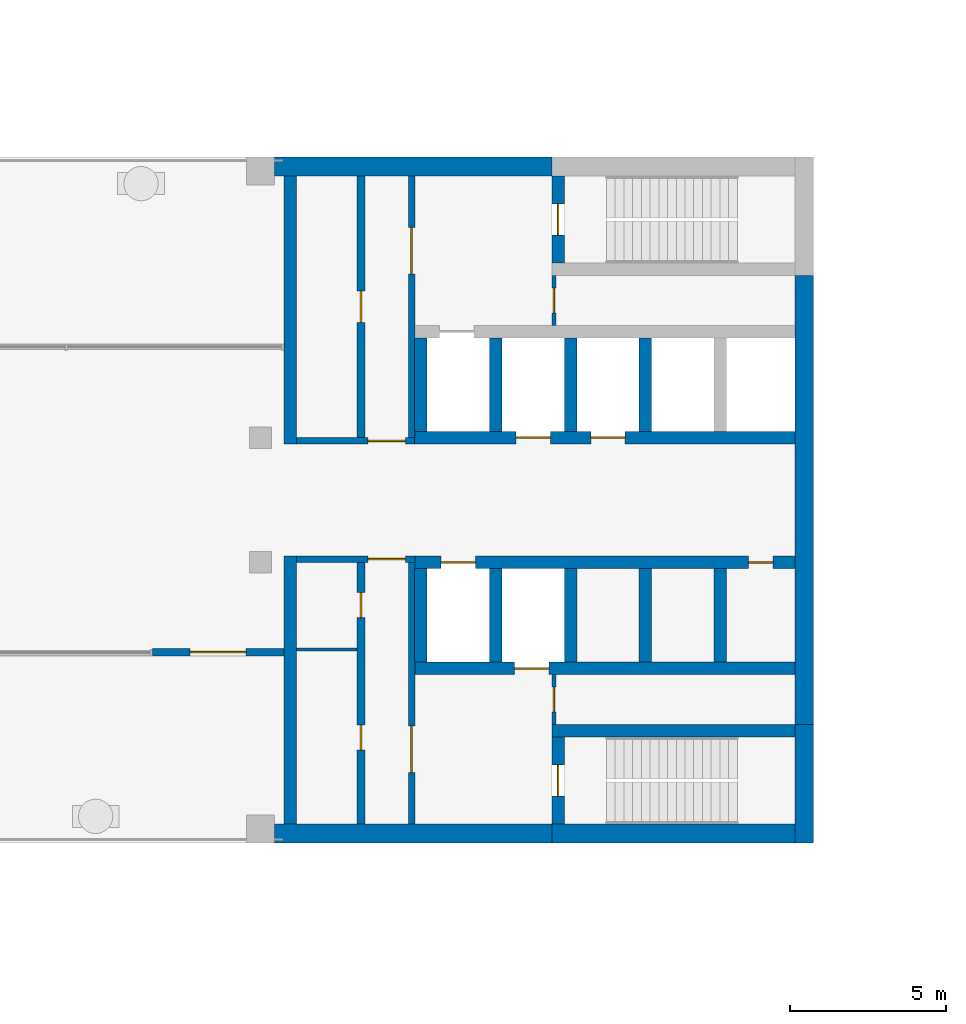
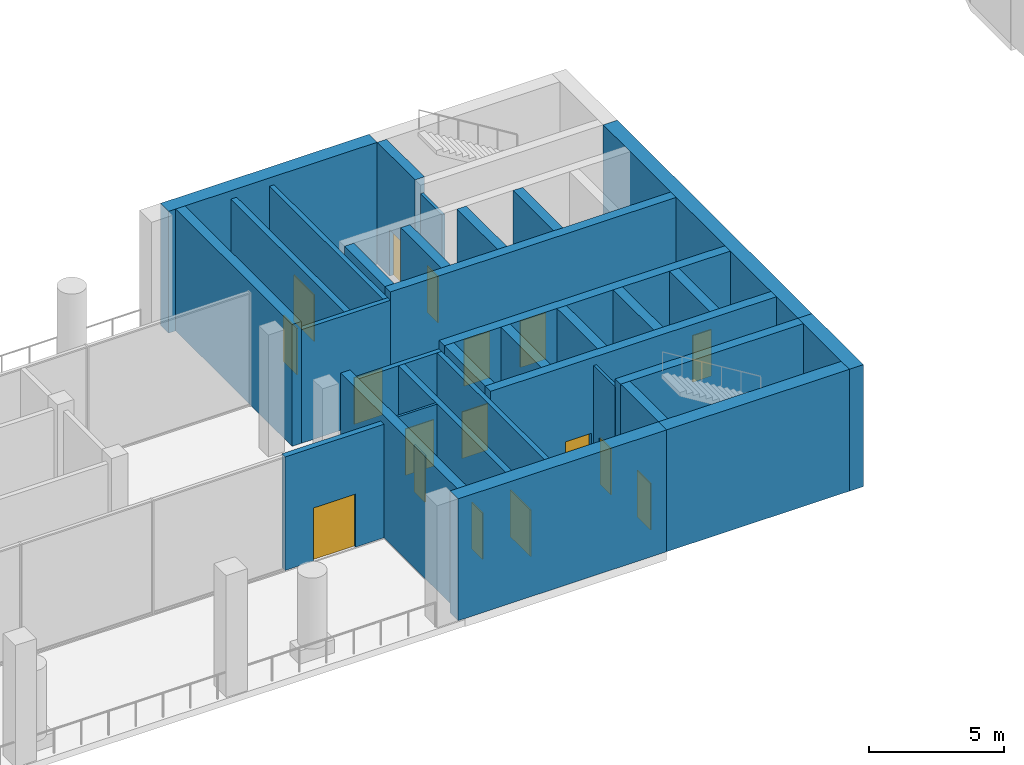
# One storey, part 11 of 19: 32 walls, 17 doors, 17 openings.
"""IFC4 building model written with IfcOpenShell, lengths in metres."""

from ifc_helpers import new_model, si_unit, direction, frame, frame_2d, origin, place, context, subcontext, project, spatial, rectangle, extrude, material, layer, layer_set, type_object, element, fill, save


model = new_model("IFC4")

# Units and contexts
model_context = context("Model", 3, precision=1e-05, world=origin(), true_north=direction((0.0, 1.0)))
body_context = subcontext(model_context, "Body", "Model", "MODEL_VIEW")
ifc_project = project(units=[si_unit("LENGTHUNIT", "METRE"), si_unit("AREAUNIT", "SQUARE_METRE"), si_unit("VOLUMEUNIT", "CUBIC_METRE"), si_unit("PLANEANGLEUNIT", "RADIAN"), si_unit("MASSUNIT", "GRAM", prefix="KILO")], contexts=[model_context])

# Site, building, storey
site_placement = place(None, origin())
site = spatial("IfcSite", under=ifc_project, at=site_placement, CompositionType="ELEMENT")
building_placement = place(site_placement, origin())
building = spatial("IfcBuilding", under=site, at=building_placement, Name="Skarvind Civic Tower", CompositionType="ELEMENT")
storey_placement = place(building_placement, frame((0.0, 0.0, 75.5)))
storey = spatial("IfcBuildingStorey", under=building, at=storey_placement, Name="L17", CompositionType="ELEMENT", Elevation=75.5)

# Wall, opening, door
ifc_material_1 = material(Name="Fire-rated masonry partition", Category="masonry")
ifc_layer_1 = layer(ifc_material_1, 0.199951171875)
ifc_layer_set_1 = layer_set([ifc_layer_1], Name="Core enclosure wall 200")
wall_type_1 = type_object("IfcWallType", Name="Core enclosure wall 200", PredefinedType="PARTITIONING", material=ifc_layer_set_1)
wall_1_placement = place(storey_placement, frame((95.199951171875, 126.10009765625, 0.0), z_axis=(0.0, 0.0, 1.0), x_axis=(-1.0, 0.0, 0.0)))
wall_1 = element("IfcWall", 1, at=wall_1_placement, inside=storey, type_object=wall_type_1, Name="Core wall C1", PredefinedType="PARTITIONING", context=body_context, shape_type="SweptSolid", body=[
    extrude(rectangle(XDim=3.800048828125, YDim=0.199951171875, at=frame_2d((1.89990234375, 0.0))), origin(), (0.0, 0.0, 1.0), 5.125),
])
opening_1_placement = place(wall_1_placement, frame((0.300048828125, 0.0, 0.0)))
opening_1 = element("IfcOpeningElement", 2, at=opening_1_placement, cuts=wall_1, Name="Opening D-L17-C1-05", PredefinedType="OPENING", context=body_context, shape_type="SweptSolid", body=[
    extrude(rectangle(XDim=1.199951171875, YDim=2.10009765625, at=frame_2d((0.60009765625, 1.050048828125))), frame((0.0, 0.10986328125, 0.0), z_axis=(0.0, -1.0, 0.0), x_axis=(1.0, 0.0, 0.0)), (0.0, 0.0, 1.0), 0.219970703125),
])
ifc_material_2 = material(Name="Fire-rated steel door", Category="steel")
door_type_1 = type_object("IfcDoorType", Name="Core lobby door 1200", OperationType="NOTDEFINED", PredefinedType="DOOR", material=ifc_material_2)
door_1_placement = place(opening_1_placement, origin())
door_1 = element("IfcDoor", 3, at=door_1_placement, inside=storey, type_object=door_type_1, Name="Fire door", OperationType="DOUBLE_DOOR_SINGLE_SWING", OverallHeight=2.10009765625, OverallWidth=1.199951171875, PredefinedType="DOOR", context=body_context, shape_type="SweptSolid", body=[
    extrude(rectangle(XDim=1.199951171875, YDim=2.10009765625, at=frame_2d((0.60009765625, 1.050048828125))), frame((0.0, 0.02490234375, 0.0), z_axis=(0.0, -1.0, 0.0), x_axis=(1.0, 0.0, 0.0)), (0.0, 0.0, 1.0), 0.050048828125),
])
fill(opening_1, door_1)

wall_2_placement = place(storey_placement, frame((95.10009765625, 117.60009765625, 0.0), z_axis=(0.0, 0.0, 1.0), x_axis=(0.0, 1.0, 0.0)))
wall_2 = element("IfcWall", 4, at=wall_2_placement, inside=storey, type_object=wall_type_1, Name="Core wall C1", PredefinedType="PARTITIONING", context=body_context, shape_type="SweptSolid", body=[
    extrude(rectangle(XDim=8.39990234375, YDim=0.199951171875, at=frame_2d((4.199951171875, 0.0))), origin(), (0.0, 0.0, 1.0), 5.125),
])
opening_2_placement = place(wall_2_placement, frame((1.64990234375, 0.0, 0.0)))
opening_2 = element("IfcOpeningElement", 5, at=opening_2_placement, cuts=wall_2, Name="Opening D-L17-C1-06", PredefinedType="OPENING", context=body_context, shape_type="SweptSolid", body=[
    extrude(rectangle(XDim=1.5, YDim=2.10009765625, at=frame_2d((0.75, 1.050048828125))), frame((0.0, 0.10986328125, 0.0), z_axis=(0.0, -1.0, 0.0), x_axis=(1.0, 0.0, 0.0)), (0.0, 0.0, 1.0), 0.219970703125),
])
door_type_2 = type_object("IfcDoorType", Name="Fire door 1500", OperationType="NOTDEFINED", PredefinedType="DOOR", material=ifc_material_2)
door_2_placement = place(opening_2_placement, origin())
door_2 = element("IfcDoor", 6, at=door_2_placement, inside=storey, type_object=door_type_2, Name="Fire door", OperationType="DOUBLE_DOOR_SINGLE_SWING", OverallHeight=2.10009765625, OverallWidth=1.5, PredefinedType="DOOR", context=body_context, shape_type="SweptSolid", body=[
    extrude(rectangle(XDim=1.5, YDim=2.10009765625, at=frame_2d((0.75, 1.050048828125))), frame((0.0, 0.02490234375, 0.0), z_axis=(0.0, -1.0, 0.0), x_axis=(1.0, 0.0, 0.0)), (0.0, 0.0, 1.0), 0.050048828125),
])
fill(opening_2, door_2)

wall_3_placement = place(storey_placement, frame((91.39990234375, 129.89990234375, 0.0), z_axis=(0.0, 0.0, 1.0), x_axis=(1.0, 0.0, 0.0)))
wall_3 = element("IfcWall", 7, at=wall_3_placement, inside=storey, type_object=wall_type_1, Name="Core wall C1", PredefinedType="PARTITIONING", context=body_context, shape_type="SweptSolid", body=[
    extrude(rectangle(XDim=3.800048828125, YDim=0.199951171875, at=frame_2d((1.89990234375, 0.0))), origin(), (0.0, 0.0, 1.0), 5.125),
])
opening_3_placement = place(wall_3_placement, frame((2.300048828125, 0.0, 0.0)))
opening_3 = element("IfcOpeningElement", 8, at=opening_3_placement, cuts=wall_3, Name="Opening D-L17-C1-11", PredefinedType="OPENING", context=body_context, shape_type="SweptSolid", body=[
    extrude(rectangle(XDim=1.199951171875, YDim=2.10009765625, at=frame_2d((0.60009765625, 1.050048828125))), frame((0.0, 0.10986328125, 0.0), z_axis=(0.0, -1.0, 0.0), x_axis=(1.0, 0.0, 0.0)), (0.0, 0.0, 1.0), 0.219970703125),
])
door_3_placement = place(opening_3_placement, origin())
door_3 = element("IfcDoor", 9, at=door_3_placement, inside=storey, type_object=door_type_1, Name="Fire door", OperationType="DOUBLE_DOOR_SINGLE_SWING", OverallHeight=2.10009765625, OverallWidth=1.199951171875, PredefinedType="DOOR", context=body_context, shape_type="SweptSolid", body=[
    extrude(rectangle(XDim=1.199951171875, YDim=2.10009765625, at=frame_2d((0.60009765625, 1.050048828125))), frame((0.0, 0.02490234375, 0.0), z_axis=(0.0, -1.0, 0.0), x_axis=(1.0, 0.0, 0.0)), (0.0, 0.0, 1.0), 0.050048828125),
])
fill(opening_3, door_3)

wall_4_placement = place(storey_placement, frame((95.10009765625, 130.0, 0.0), z_axis=(0.0, 0.0, 1.0), x_axis=(0.0, 1.0, 0.0)))
wall_4 = element("IfcWall", 10, at=wall_4_placement, inside=storey, type_object=wall_type_1, Name="Core wall C1", PredefinedType="PARTITIONING", context=body_context, shape_type="SweptSolid", body=[
    extrude(rectangle(XDim=8.39990234375, YDim=0.199951171875, at=frame_2d((4.199951171875, 0.0))), origin(), (0.0, 0.0, 1.0), 5.125),
])
opening_4_placement = place(wall_4_placement, frame((5.25, 0.0, 0.0)))
opening_4 = element("IfcOpeningElement", 11, at=opening_4_placement, cuts=wall_4, Name="Opening D-L17-C1-12", PredefinedType="OPENING", context=body_context, shape_type="SweptSolid", body=[
    extrude(rectangle(XDim=1.5, YDim=2.10009765625, at=frame_2d((0.75, 1.050048828125))), frame((0.0, 0.10986328125, 0.0), z_axis=(0.0, -1.0, 0.0), x_axis=(1.0, 0.0, 0.0)), (0.0, 0.0, 1.0), 0.219970703125),
])
door_4_placement = place(opening_4_placement, origin())
door_4 = element("IfcDoor", 12, at=door_4_placement, inside=storey, type_object=door_type_2, Name="Fire door", OperationType="DOUBLE_DOOR_SINGLE_SWING", OverallHeight=2.10009765625, OverallWidth=1.5, PredefinedType="DOOR", context=body_context, shape_type="SweptSolid", body=[
    extrude(rectangle(XDim=1.5, YDim=2.10009765625, at=frame_2d((0.75, 1.050048828125))), frame((0.0, 0.02490234375, 0.0), z_axis=(0.0, -1.0, 0.0), x_axis=(1.0, 0.0, 0.0)), (0.0, 0.0, 1.0), 0.050048828125),
])
fill(opening_4, door_4)

# Wall
ifc_material_3 = material(Name="Fire-rated plasterboard partition")
ifc_layer_2 = layer(ifc_material_3, 0.10009765625)
ifc_layer_set_2 = layer_set([ifc_layer_2], Name="Core partition wall 100")
wall_type_2 = type_object("IfcWallType", Name="Core partition wall 100", PredefinedType="PARTITIONING", material=ifc_layer_set_2)
wall_5_placement = place(storey_placement, frame((93.35009765625, 123.199951171875, 0.0), z_axis=(0.0, 0.0, 1.0), x_axis=(-1.0, 0.0, 0.0)))
element("IfcWall", 13, at=wall_5_placement, inside=storey, type_object=wall_type_2, Name="Core wall C1", PredefinedType="PARTITIONING", context=body_context, shape_type="SweptSolid", body=[
    extrude(rectangle(XDim=1.9501953125, YDim=0.10009765625, at=frame_2d((0.97509765625, 0.0))), origin(), (0.0, 0.0, 1.0), 5.125),
])

# Wall, opening, door
ifc_material_4 = material(Name="Concrete C80", Category="concrete")
ifc_layer_3 = layer(ifc_material_4, 0.39990234375)
ifc_layer_set_3 = layer_set([ifc_layer_3], Name="Core wall 400 C80")
wall_type_3 = type_object("IfcWallType", Name="Core wall 400 C80", PredefinedType="SHEAR", material=ifc_layer_set_3)
wall_6_placement = place(storey_placement, frame((99.800048828125, 138.39990234375, 0.0), z_axis=(0.0, 0.0, 1.0), x_axis=(0.0, -1.0, 0.0)))
wall_6 = element("IfcWall", 14, at=wall_6_placement, inside=storey, type_object=wall_type_3, Name="Core wall C1 south stair end L17", PredefinedType="SHEAR", context=body_context, shape_type="SweptSolid", body=[
    extrude(rectangle(XDim=2.7998046875, YDim=0.39990234375, at=frame_2d((1.39990234375, 0.0))), origin(), (0.0, 0.0, 1.0), 5.5),
])
opening_5_placement = place(wall_6_placement, frame((0.89990234375, 0.0, 0.0)))
opening_5 = element("IfcOpeningElement", 15, at=opening_5_placement, cuts=wall_6, Name="Opening D-L17-C1-13", PredefinedType="OPENING", context=body_context, shape_type="SweptSolid", body=[
    extrude(rectangle(XDim=1.0, YDim=2.10009765625, at=frame_2d((0.5, 1.050048828125))), frame((0.0, 0.2099609375, 0.0), z_axis=(0.0, -1.0, 0.0), x_axis=(1.0, 0.0, 0.0)), (0.0, 0.0, 1.0), 0.419921875),
])
door_type_3 = type_object("IfcDoorType", Name="Fire door 1000", OperationType="NOTDEFINED", PredefinedType="DOOR", material=ifc_material_2)
door_5_placement = place(opening_5_placement, origin())
door_5 = element("IfcDoor", 16, at=door_5_placement, inside=storey, type_object=door_type_3, Name="Fire door", OperationType="SINGLE_SWING_RIGHT", OverallHeight=2.10009765625, OverallWidth=1.0, PredefinedType="DOOR", context=body_context, shape_type="SweptSolid", body=[
    extrude(rectangle(XDim=1.0, YDim=2.10009765625, at=frame_2d((0.5, 1.050048828125))), frame((0.0, 0.02490234375, 0.0), z_axis=(0.0, -1.0, 0.0), x_axis=(1.0, 0.0, 0.0)), (0.0, 0.0, 1.0), 0.050048828125),
])
fill(opening_5, door_5)

# Wall
wall_7_placement = place(storey_placement, frame((107.39990234375, 120.60009765625, 0.0), z_axis=(0.0, 0.0, 1.0), x_axis=(-1.0, 0.0, 0.0)))
element("IfcWall", 17, at=wall_7_placement, inside=storey, type_object=wall_type_3, Name="Core wall C1 north stair inner L17", PredefinedType="SHEAR", context=body_context, shape_type="SweptSolid", body=[
    extrude(rectangle(XDim=7.7998046875, YDim=0.39990234375, at=frame_2d((3.89990234375, 0.0))), origin(), (0.0, 0.0, 1.0), 5.5),
])

# Wall, opening, door
wall_8_placement = place(storey_placement, frame((99.800048828125, 120.39990234375, 0.0), z_axis=(0.0, 0.0, 1.0), x_axis=(0.0, -1.0, 0.0)))
wall_8 = element("IfcWall", 18, at=wall_8_placement, inside=storey, type_object=wall_type_3, Name="Core wall C1 north stair end L17", PredefinedType="SHEAR", context=body_context, shape_type="SweptSolid", body=[
    extrude(rectangle(XDim=2.7998046875, YDim=0.39990234375, at=frame_2d((1.39990234375, 0.0))), origin(), (0.0, 0.0, 1.0), 5.5),
])
opening_6_placement = place(wall_8_placement, frame((0.89990234375, 0.0, 0.0)))
opening_6 = element("IfcOpeningElement", 19, at=opening_6_placement, cuts=wall_8, Name="Opening D-L17-C1-07", PredefinedType="OPENING", context=body_context, shape_type="SweptSolid", body=[
    extrude(rectangle(XDim=1.0, YDim=2.10009765625, at=frame_2d((0.5, 1.050048828125))), frame((0.0, 0.2099609375, 0.0), z_axis=(0.0, -1.0, 0.0), x_axis=(1.0, 0.0, 0.0)), (0.0, 0.0, 1.0), 0.419921875),
])
door_6_placement = place(opening_6_placement, origin())
door_6 = element("IfcDoor", 20, at=door_6_placement, inside=storey, type_object=door_type_3, Name="Fire door", OperationType="SINGLE_SWING_LEFT", OverallHeight=2.10009765625, OverallWidth=1.0, PredefinedType="DOOR", context=body_context, shape_type="SweptSolid", body=[
    extrude(rectangle(XDim=1.0, YDim=2.10009765625, at=frame_2d((0.5, 1.050048828125))), frame((0.0, 0.02490234375, 0.0), z_axis=(0.0, -1.0, 0.0), x_axis=(1.0, 0.0, 0.0)), (0.0, 0.0, 1.0), 0.050048828125),
])
fill(opening_6, door_6)

# Wall, openings, doors
wall_9_placement = place(storey_placement, frame((107.39990234375, 130.0, 0.0), z_axis=(0.0, 0.0, 1.0), x_axis=(-1.0, 0.0, 0.0)))
wall_9 = element("IfcWall", 21, at=wall_9_placement, inside=storey, type_object=wall_type_3, Name="Core wall C1 south lift row front L17", PredefinedType="SHEAR", context=body_context, shape_type="SweptSolid", body=[
    extrude(rectangle(XDim=12.199951171875, YDim=0.39990234375, at=frame_2d((6.10009765625, 0.0))), origin(), (0.0, 0.0, 1.0), 5.5),
])
opening_7_placement = place(wall_9_placement, frame((5.449951171875, 0.0, 0.0)))
opening_7 = element("IfcOpeningElement", 22, at=opening_7_placement, cuts=wall_9, Name="Opening LD19108", PredefinedType="OPENING", context=body_context, shape_type="SweptSolid", body=[
    extrude(rectangle(XDim=1.10009765625, YDim=2.10009765625, at=frame_2d((0.550048828125, 1.050048828125))), frame((0.0, 0.2099609375, 0.0), z_axis=(0.0, -1.0, 0.0), x_axis=(1.0, 0.0, 0.0)), (0.0, 0.0, 1.0), 0.419921875),
])
opening_8_placement = place(wall_9_placement, frame((7.85009765625, 0.0, 0.0)))
opening_8 = element("IfcOpeningElement", 23, at=opening_8_placement, cuts=wall_9, Name="Opening LD19109", PredefinedType="OPENING", context=body_context, shape_type="SweptSolid", body=[
    extrude(rectangle(XDim=1.10009765625, YDim=2.10009765625, at=frame_2d((0.550048828125, 1.050048828125))), frame((0.0, 0.2099609375, 0.0), z_axis=(0.0, -1.0, 0.0), x_axis=(1.0, 0.0, 0.0)), (0.0, 0.0, 1.0), 0.419921875),
])
ifc_material_5 = material(Name="Stainless steel landing door", Category="steel")
door_type_4 = type_object("IfcDoorType", Name="Lift landing door 1100", OperationType="DOUBLE_DOOR_SLIDING", PredefinedType="DOOR", material=ifc_material_5)
door_7_placement = place(opening_7_placement, origin())
door_7 = element("IfcDoor", 24, at=door_7_placement, inside=storey, type_object=door_type_4, Name="Lift landing door", OperationType="DOUBLE_DOOR_SLIDING", OverallHeight=2.10009765625, OverallWidth=1.10009765625, PredefinedType="DOOR", context=body_context, shape_type="SweptSolid", body=[
    extrude(rectangle(XDim=1.10009765625, YDim=2.10009765625, at=frame_2d((0.550048828125, 1.050048828125))), frame((0.0, 0.02490234375, 0.0), z_axis=(0.0, -1.0, 0.0), x_axis=(1.0, 0.0, 0.0)), (0.0, 0.0, 1.0), 0.050048828125),
])
fill(opening_7, door_7)
door_8_placement = place(opening_8_placement, origin())
door_8 = element("IfcDoor", 25, at=door_8_placement, inside=storey, type_object=door_type_4, Name="Lift landing door", OperationType="DOUBLE_DOOR_SLIDING", OverallHeight=2.10009765625, OverallWidth=1.10009765625, PredefinedType="DOOR", context=body_context, shape_type="SweptSolid", body=[
    extrude(rectangle(XDim=1.10009765625, YDim=2.10009765625, at=frame_2d((0.550048828125, 1.050048828125))), frame((0.0, 0.02490234375, 0.0), z_axis=(0.0, -1.0, 0.0), x_axis=(1.0, 0.0, 0.0)), (0.0, 0.0, 1.0), 0.050048828125),
])
fill(opening_8, door_8)

# Walls
for number, where, z_axis, x_axis, name in (
    (26, (102.60009765625, 133.199951171875, 0.0), (0.0, 0.0, 1.0), (0.0, -1.0, 0.0), "Core wall C1 south lift row division 2 L17"),
    (27, (100.199951171875, 133.199951171875, 0.0), (0.0, 0.0, 1.0), (0.0, -1.0, 0.0), "Core wall C1 south lift row division 3 L17"),
    (28, (97.800048828125, 133.199951171875, 0.0), (0.0, 0.0, 1.0), (0.0, -1.0, 0.0), "Core wall C1 south lift row division 4 L17"),
    (29, (95.39990234375, 133.199951171875, 0.0), (0.0, 0.0, 1.0), (0.0, -1.0, 0.0), "Core wall C1 south lift row division 5 L17"),
):
    element("IfcWall", number, at=place(storey_placement, frame(where, z_axis=z_axis, x_axis=x_axis)), inside=storey, type_object=wall_type_3, Name=name, PredefinedType="SHEAR", context=body_context, shape_type="SweptSolid", body=[
        extrude(rectangle(XDim=3.0, YDim=0.39990234375, at=frame_2d((1.5, 0.0))), origin(), (0.0, 0.0, 1.0), 5.5),
    ])

# Wall, openings, doors
wall_10_placement = place(storey_placement, frame((107.39990234375, 126.0, 0.0), z_axis=(0.0, 0.0, 1.0), x_axis=(-1.0, 0.0, 0.0)))
wall_10 = element("IfcWall", 30, at=wall_10_placement, inside=storey, type_object=wall_type_3, Name="Core wall C1 north lift row front L17", PredefinedType="SHEAR", context=body_context, shape_type="SweptSolid", body=[
    extrude(rectangle(XDim=12.199951171875, YDim=0.39990234375, at=frame_2d((6.10009765625, 0.0))), origin(), (0.0, 0.0, 1.0), 5.5),
])
opening_9_placement = place(wall_10_placement, frame((10.25, 0.0, 0.0)))
opening_9 = element("IfcOpeningElement", 31, at=opening_9_placement, cuts=wall_10, Name="Opening LD19105", PredefinedType="OPENING", context=body_context, shape_type="SweptSolid", body=[
    extrude(rectangle(XDim=1.10009765625, YDim=2.10009765625, at=frame_2d((0.550048828125, 1.050048828125))), frame((0.0, 0.2099609375, 0.0), z_axis=(0.0, -1.0, 0.0), x_axis=(1.0, 0.0, 0.0)), (0.0, 0.0, 1.0), 0.419921875),
])
opening_10_placement = place(wall_10_placement, frame((0.699951171875, 0.0, 0.0)))
opening_10 = element("IfcOpeningElement", 32, at=opening_10_placement, cuts=wall_10, Name="Opening D-L17-C1-04", PredefinedType="OPENING", context=body_context, shape_type="SweptSolid", body=[
    extrude(rectangle(XDim=0.800048828125, YDim=2.10009765625, at=frame_2d((0.39990234375, 1.050048828125))), frame((0.0, 0.2099609375, 0.0), z_axis=(0.0, -1.0, 0.0), x_axis=(1.0, 0.0, 0.0)), (0.0, 0.0, 1.0), 0.419921875),
])
door_type_5 = type_object("IfcDoorType", Name="Core riser door 800", OperationType="NOTDEFINED", PredefinedType="DOOR", material=ifc_material_2)
door_9_placement = place(opening_10_placement, origin())
door_9 = element("IfcDoor", 33, at=door_9_placement, inside=storey, type_object=door_type_5, Name="Riser door", OperationType="SINGLE_SWING_LEFT", OverallHeight=2.10009765625, OverallWidth=0.800048828125, PredefinedType="DOOR", context=body_context, shape_type="SweptSolid", body=[
    extrude(rectangle(XDim=0.800048828125, YDim=2.10009765625, at=frame_2d((0.39990234375, 1.050048828125))), frame((0.0, 0.02490234375, 0.0), z_axis=(0.0, -1.0, 0.0), x_axis=(1.0, 0.0, 0.0)), (0.0, 0.0, 1.0), 0.050048828125),
])
fill(opening_10, door_9)
door_10_placement = place(opening_9_placement, origin())
door_10 = element("IfcDoor", 34, at=door_10_placement, inside=storey, type_object=door_type_4, Name="Lift landing door", OperationType="DOUBLE_DOOR_SLIDING", OverallHeight=2.10009765625, OverallWidth=1.10009765625, PredefinedType="DOOR", context=body_context, shape_type="SweptSolid", body=[
    extrude(rectangle(XDim=1.10009765625, YDim=2.10009765625, at=frame_2d((0.550048828125, 1.050048828125))), frame((0.0, 0.02490234375, 0.0), z_axis=(0.0, -1.0, 0.0), x_axis=(1.0, 0.0, 0.0)), (0.0, 0.0, 1.0), 0.050048828125),
])
fill(opening_9, door_10)

# Wall, opening, door
wall_11_placement = place(storey_placement, frame((107.39990234375, 122.60009765625, 0.0), z_axis=(0.0, 0.0, 1.0), x_axis=(-1.0, 0.0, 0.0)))
wall_11 = element("IfcWall", 35, at=wall_11_placement, inside=storey, type_object=wall_type_3, Name="Core wall C1 north lift row back L17", PredefinedType="SHEAR", context=body_context, shape_type="SweptSolid", body=[
    extrude(rectangle(XDim=12.199951171875, YDim=0.39990234375, at=frame_2d((6.10009765625, 0.0))), origin(), (0.0, 0.0, 1.0), 5.5),
])
opening_11_placement = place(wall_11_placement, frame((7.89990234375, 0.0, 0.0)))
opening_11 = element("IfcOpeningElement", 36, at=opening_11_placement, cuts=wall_11, Name="Opening LD19104", PredefinedType="OPENING", context=body_context, shape_type="SweptSolid", body=[
    extrude(rectangle(XDim=1.10009765625, YDim=2.10009765625, at=frame_2d((0.550048828125, 1.050048828125))), frame((0.0, 0.2099609375, 0.0), z_axis=(0.0, -1.0, 0.0), x_axis=(1.0, 0.0, 0.0)), (0.0, 0.0, 1.0), 0.419921875),
])
door_11_placement = place(opening_11_placement, origin())
door_11 = element("IfcDoor", 37, at=door_11_placement, inside=storey, type_object=door_type_4, Name="Lift landing door", OperationType="DOUBLE_DOOR_SLIDING", OverallHeight=2.10009765625, OverallWidth=1.10009765625, PredefinedType="DOOR", context=body_context, shape_type="SweptSolid", body=[
    extrude(rectangle(XDim=1.10009765625, YDim=2.10009765625, at=frame_2d((0.550048828125, 1.050048828125))), frame((0.0, 0.02490234375, 0.0), z_axis=(0.0, -1.0, 0.0), x_axis=(1.0, 0.0, 0.0)), (0.0, 0.0, 1.0), 0.050048828125),
])
fill(opening_11, door_11)

# Walls
for number, where, z_axis, x_axis, name in (
    (38, (105.0, 125.800048828125, 0.0), (0.0, 0.0, 1.0), (0.0, -1.0, 0.0), "Core wall C1 north lift row division 1 L17"),
    (39, (102.60009765625, 125.800048828125, 0.0), (0.0, 0.0, 1.0), (0.0, -1.0, 0.0), "Core wall C1 north lift row division 2 L17"),
    (40, (100.199951171875, 125.800048828125, 0.0), (0.0, 0.0, 1.0), (0.0, -1.0, 0.0), "Core wall C1 north lift row division 3 L17"),
    (41, (97.800048828125, 125.800048828125, 0.0), (0.0, 0.0, 1.0), (0.0, -1.0, 0.0), "Core wall C1 north lift row division 4 L17"),
    (42, (95.39990234375, 125.800048828125, 0.0), (0.0, 0.0, 1.0), (0.0, -1.0, 0.0), "Core wall C1 north lift row division 5 L17"),
):
    element("IfcWall", number, at=place(storey_placement, frame(where, z_axis=z_axis, x_axis=x_axis)), inside=storey, type_object=wall_type_3, Name=name, PredefinedType="SHEAR", context=body_context, shape_type="SweptSolid", body=[
        extrude(rectangle(XDim=3.0, YDim=0.39990234375, at=frame_2d((1.5, 0.0))), origin(), (0.0, 0.0, 1.0), 5.5),
    ])
for number, where, z_axis, x_axis, name in (
    (43, (91.199951171875, 138.39990234375, 0.0), (0.0, 0.0, 1.0), (0.0, -1.0, 0.0), "Core wall C1 south inner face L17"),
    (44, (91.199951171875, 126.199951171875, 0.0), (0.0, 0.0, 1.0), (0.0, -1.0, 0.0), "Core wall C1 north inner face L17"),
):
    element("IfcWall", number, at=place(storey_placement, frame(where, z_axis=z_axis, x_axis=x_axis)), inside=storey, type_object=wall_type_3, Name=name, PredefinedType="SHEAR", context=body_context, shape_type="SweptSolid", body=[
        extrude(rectangle(XDim=8.599853515625, YDim=0.39990234375, at=frame_2d((4.2998046875, 0.0))), origin(), (0.0, 0.0, 1.0), 5.5),
    ])
ifc_layer_4 = layer(ifc_material_4, 0.60009765625)
ifc_layer_set_4 = layer_set([ifc_layer_4], Name="Core wall 600 C80")
wall_type_4 = type_object("IfcWallType", Name="Core wall 600 C80", PredefinedType="SHEAR", material=ifc_layer_set_4)
wall_12_placement = place(storey_placement, frame((107.699951171875, 135.199951171875, 0.0), z_axis=(0.0, 0.0, 1.0), x_axis=(0.0, -1.0, 0.0)))
element("IfcWall", 45, at=wall_12_placement, inside=storey, type_object=wall_type_4, Name="Core wall C1 tip between the stairs L17", PredefinedType="SHEAR", context=body_context, shape_type="SweptSolid", body=[
    extrude(rectangle(XDim=14.39990234375, YDim=0.60009765625, at=frame_2d((7.199951171875, 0.0))), origin(), (0.0, 0.0, 1.0), 5.5),
])
wall_13_placement = place(storey_placement, frame((107.699951171875, 120.800048828125, 0.0), z_axis=(0.0, 0.0, 1.0), x_axis=(0.0, -1.0, 0.0)))
element("IfcWall", 46, at=wall_13_placement, inside=storey, type_object=wall_type_4, Name="Core wall C1 tip at the north stair L17", PredefinedType="SHEAR", context=body_context, shape_type="SweptSolid", body=[
    extrude(rectangle(XDim=3.800048828125, YDim=0.60009765625, at=frame_2d((1.89990234375, 0.0))), origin(), (0.0, 0.0, 1.0), 5.5),
])
wall_14_placement = place(storey_placement, frame((107.39990234375, 117.300048828125, 0.0), z_axis=(0.0, 0.0, 1.0), x_axis=(-1.0, 0.0, 0.0)))
element("IfcWall", 47, at=wall_14_placement, inside=storey, type_object=wall_type_4, Name="Core wall C1 north side at the stair L17", PredefinedType="SHEAR", context=body_context, shape_type="SweptSolid", body=[
    extrude(rectangle(XDim=7.7998046875, YDim=0.60009765625, at=frame_2d((3.89990234375, 0.0))), origin(), (0.0, 0.0, 1.0), 5.5),
])
for number, where, z_axis, x_axis, name in (
    (48, (99.60009765625, 138.699951171875, 0.0), (0.0, 0.0, 1.0), (-1.0, 0.0, 0.0), "Core wall C1 south side L17"),
    (49, (99.60009765625, 117.300048828125, 0.0), (0.0, 0.0, 1.0), (-1.0, 0.0, 0.0), "Core wall C1 north side L17"),
):
    element("IfcWall", number, at=place(storey_placement, frame(where, z_axis=z_axis, x_axis=x_axis)), inside=storey, type_object=wall_type_4, Name=name, PredefinedType="SHEAR", context=body_context, shape_type="SweptSolid", body=[
        extrude(rectangle(XDim=8.900146484375, YDim=0.60009765625, at=frame_2d((4.4501953125, 0.0))), origin(), (0.0, 0.0, 1.0), 5.5),
    ])

# Wall, opening, door
ifc_layer_5 = layer(ifc_material_1, 0.125)
ifc_layer_set_5 = layer_set([ifc_layer_5], Name="Riser wall 125")
wall_type_5 = type_object("IfcWallType", Name="Riser wall 125", PredefinedType="PARTITIONING", material=ifc_layer_set_5)
wall_15_placement = place(storey_placement, frame((99.66259765625, 120.800048828125, 0.0), z_axis=(0.0, 0.0, 1.0), x_axis=(0.0, 1.0, 0.0)))
wall_15 = element("IfcWall", 50, at=wall_15_placement, inside=storey, type_object=wall_type_5, Name="Core wall C1", PredefinedType="PARTITIONING", context=body_context, shape_type="SweptSolid", body=[
    extrude(rectangle(XDim=1.599853515625, YDim=0.125, at=frame_2d((0.7998046875, 0.0))), origin(), (0.0, 0.0, 1.0), 5.125),
])
opening_12_placement = place(wall_15_placement, frame((0.39990234375, 0.0, 0.0)))
opening_12 = element("IfcOpeningElement", 51, at=opening_12_placement, cuts=wall_15, Name="Opening D-L17-C1-08", PredefinedType="OPENING", context=body_context, shape_type="SweptSolid", body=[
    extrude(rectangle(XDim=0.800048828125, YDim=2.10009765625, at=frame_2d((0.39990234375, 1.050048828125))), frame((0.0, 0.072509765625, 0.0), z_axis=(0.0, -1.0, 0.0), x_axis=(1.0, 0.0, 0.0)), (0.0, 0.0, 1.0), 0.14501953125),
])
door_12_placement = place(opening_12_placement, origin())
door_12 = element("IfcDoor", 52, at=door_12_placement, inside=storey, type_object=door_type_5, Name="Riser door", OperationType="SINGLE_SWING_RIGHT", OverallHeight=2.10009765625, OverallWidth=0.800048828125, PredefinedType="DOOR", context=body_context, shape_type="SweptSolid", body=[
    extrude(rectangle(XDim=0.800048828125, YDim=2.10009765625, at=frame_2d((0.39990234375, 1.050048828125))), frame((0.0, 0.02490234375, 0.0), z_axis=(0.0, -1.0, 0.0), x_axis=(1.0, 0.0, 0.0)), (0.0, 0.0, 1.0), 0.050048828125),
])
fill(opening_12, door_12)

wall_16_placement = place(storey_placement, frame((99.66259765625, 133.60009765625, 0.0), z_axis=(0.0, 0.0, 1.0), x_axis=(0.0, 1.0, 0.0)))
wall_16 = element("IfcWall", 53, at=wall_16_placement, inside=storey, type_object=wall_type_5, Name="Core wall C1", PredefinedType="PARTITIONING", context=body_context, shape_type="SweptSolid", body=[
    extrude(rectangle(XDim=1.599853515625, YDim=0.125, at=frame_2d((0.7998046875, 0.0))), origin(), (0.0, 0.0, 1.0), 5.125),
])
opening_13_placement = place(wall_16_placement, frame((0.39990234375, 0.0, 0.0)))
opening_13 = element("IfcOpeningElement", 54, at=opening_13_placement, cuts=wall_16, Name="Opening D-L17-C1-14", PredefinedType="OPENING", context=body_context, shape_type="SweptSolid", body=[
    extrude(rectangle(XDim=0.800048828125, YDim=2.10009765625, at=frame_2d((0.39990234375, 1.050048828125))), frame((0.0, 0.072509765625, 0.0), z_axis=(0.0, -1.0, 0.0), x_axis=(1.0, 0.0, 0.0)), (0.0, 0.0, 1.0), 0.14501953125),
])
door_13_placement = place(opening_13_placement, origin())
door_13 = element("IfcDoor", 55, at=door_13_placement, inside=storey, type_object=door_type_5, Name="Riser door", OperationType="SINGLE_SWING_LEFT", OverallHeight=2.10009765625, OverallWidth=0.800048828125, PredefinedType="DOOR", context=body_context, shape_type="SweptSolid", body=[
    extrude(rectangle(XDim=0.800048828125, YDim=2.10009765625, at=frame_2d((0.39990234375, 1.050048828125))), frame((0.0, 0.02490234375, 0.0), z_axis=(0.0, -1.0, 0.0), x_axis=(1.0, 0.0, 0.0)), (0.0, 0.0, 1.0), 0.050048828125),
])
fill(opening_13, door_13)

# Wall, openings, doors
ifc_layer_6 = layer(ifc_material_1, 0.25)
ifc_layer_set_6 = layer_set([ifc_layer_6], Name="Service block wall 250")
wall_type_6 = type_object("IfcWallType", Name="Service block wall 250", PredefinedType="PARTITIONING", material=ifc_layer_set_6)
wall_17_placement = place(storey_placement, frame((93.47509765625, 117.60009765625, 0.0), z_axis=(0.0, 0.0, 1.0), x_axis=(0.0, 1.0, 0.0)))
wall_17 = element("IfcWall", 56, at=wall_17_placement, inside=storey, type_object=wall_type_6, Name="Core wall C1", PredefinedType="PARTITIONING", context=body_context, shape_type="SweptSolid", body=[
    extrude(rectangle(XDim=8.39990234375, YDim=0.25, at=frame_2d((4.199951171875, 0.0))), origin(), (0.0, 0.0, 1.0), 5.125),
])
opening_14_placement = place(wall_17_placement, frame((6.625, 0.0, 0.0)))
opening_14 = element("IfcOpeningElement", 57, at=opening_14_placement, cuts=wall_17, Name="Opening D-L17-C1-09", PredefinedType="OPENING", context=body_context, shape_type="SweptSolid", body=[
    extrude(rectangle(XDim=0.800048828125, YDim=2.10009765625, at=frame_2d((0.39990234375, 1.050048828125))), frame((0.0, 0.135009765625, 0.0), z_axis=(0.0, -1.0, 0.0), x_axis=(1.0, 0.0, 0.0)), (0.0, 0.0, 1.0), 0.27001953125),
])
opening_15_placement = place(wall_17_placement, frame((2.375, 0.0, 0.0)))
opening_15 = element("IfcOpeningElement", 58, at=opening_15_placement, cuts=wall_17, Name="Opening D-L17-C1-10", PredefinedType="OPENING", context=body_context, shape_type="SweptSolid", body=[
    extrude(rectangle(XDim=0.800048828125, YDim=2.10009765625, at=frame_2d((0.39990234375, 1.050048828125))), frame((0.0, 0.135009765625, 0.0), z_axis=(0.0, -1.0, 0.0), x_axis=(1.0, 0.0, 0.0)), (0.0, 0.0, 1.0), 0.27001953125),
])
door_14_placement = place(opening_14_placement, origin())
door_14 = element("IfcDoor", 59, at=door_14_placement, inside=storey, type_object=door_type_5, Name="Riser door", OperationType="SINGLE_SWING_LEFT", OverallHeight=2.10009765625, OverallWidth=0.800048828125, PredefinedType="DOOR", context=body_context, shape_type="SweptSolid", body=[
    extrude(rectangle(XDim=0.800048828125, YDim=2.10009765625, at=frame_2d((0.39990234375, 1.050048828125))), frame((0.0, 0.02490234375, 0.0), z_axis=(0.0, -1.0, 0.0), x_axis=(1.0, 0.0, 0.0)), (0.0, 0.0, 1.0), 0.050048828125),
])
fill(opening_14, door_14)
door_15_placement = place(opening_15_placement, origin())
door_15 = element("IfcDoor", 60, at=door_15_placement, inside=storey, type_object=door_type_5, Name="Riser door", OperationType="SINGLE_SWING_RIGHT", OverallHeight=2.10009765625, OverallWidth=0.800048828125, PredefinedType="DOOR", context=body_context, shape_type="SweptSolid", body=[
    extrude(rectangle(XDim=0.800048828125, YDim=2.10009765625, at=frame_2d((0.39990234375, 1.050048828125))), frame((0.0, 0.02490234375, 0.0), z_axis=(0.0, -1.0, 0.0), x_axis=(1.0, 0.0, 0.0)), (0.0, 0.0, 1.0), 0.050048828125),
])
fill(opening_15, door_15)

# Wall, opening, door
wall_18_placement = place(storey_placement, frame((93.47509765625, 130.0, 0.0), z_axis=(0.0, 0.0, 1.0), x_axis=(0.0, 1.0, 0.0)))
wall_18 = element("IfcWall", 61, at=wall_18_placement, inside=storey, type_object=wall_type_6, Name="Core wall C1", PredefinedType="PARTITIONING", context=body_context, shape_type="SweptSolid", body=[
    extrude(rectangle(XDim=8.39990234375, YDim=0.25, at=frame_2d((4.199951171875, 0.0))), origin(), (0.0, 0.0, 1.0), 5.125),
])
opening_16_placement = place(wall_18_placement, frame((3.699951171875, 0.0, 0.0)))
opening_16 = element("IfcOpeningElement", 62, at=opening_16_placement, cuts=wall_18, Name="Opening D-L17-C1-15", PredefinedType="OPENING", context=body_context, shape_type="SweptSolid", body=[
    extrude(rectangle(XDim=1.0, YDim=2.10009765625, at=frame_2d((0.5, 1.050048828125))), frame((0.0, 0.135009765625, 0.0), z_axis=(0.0, -1.0, 0.0), x_axis=(1.0, 0.0, 0.0)), (0.0, 0.0, 1.0), 0.27001953125),
])
door_16_placement = place(opening_16_placement, origin())
door_16 = element("IfcDoor", 63, at=door_16_placement, inside=storey, type_object=door_type_3, Name="Fire door", OperationType="SINGLE_SWING_RIGHT", OverallHeight=2.10009765625, OverallWidth=1.0, PredefinedType="DOOR", context=body_context, shape_type="SweptSolid", body=[
    extrude(rectangle(XDim=1.0, YDim=2.10009765625, at=frame_2d((0.5, 1.050048828125))), frame((0.0, 0.02490234375, 0.0), z_axis=(0.0, -1.0, 0.0), x_axis=(1.0, 0.0, 0.0)), (0.0, 0.0, 1.0), 0.050048828125),
])
fill(opening_16, door_16)

ifc_material_6 = material(Name="Limestone masonry cladding on insulated backing", Category="masonry")
ifc_layer_7 = layer(ifc_material_6, 0.239990234375)
ifc_layer_set_7 = layer_set([ifc_layer_7], Name="WX4 STONE DOOR PIER WALL 240")
wall_type_7 = type_object("IfcWallType", Name="WX4 STONE DOOR PIER WALL 240", PredefinedType="SOLIDWALL", material=ifc_layer_set_7)
wall_19_placement = place(storey_placement, frame((91.0, 123.1201171875, 0.0), z_axis=(0.0, 0.0, 1.0), x_axis=(-1.0, 0.0, 0.0)))
wall_19 = element("IfcWall", 64, at=wall_19_placement, inside=storey, type_object=wall_type_7, Name="STONE DOOR PIER WALL", PredefinedType="SOLIDWALL", context=body_context, shape_type="SweptSolid", body=[
    extrude(rectangle(XDim=4.220703125, YDim=0.239990234375, at=frame_2d((2.1103515625, 0.0))), origin(), (0.0, 0.0, 1.0), 5.125),
])
opening_17_placement = place(wall_19_placement, frame((1.210205078125, 0.0, 0.0)))
opening_17 = element("IfcOpeningElement", 65, at=opening_17_placement, cuts=wall_19, Name="Opening DX3", PredefinedType="OPENING", context=body_context, shape_type="SweptSolid", body=[
    extrude(rectangle(XDim=1.800048828125, YDim=2.39990234375, at=frame_2d((0.89990234375, 1.199951171875))), frame((0.0, 0.1298828125, 0.0), z_axis=(0.0, -1.0, 0.0), x_axis=(1.0, 0.0, 0.0)), (0.0, 0.0, 1.0), 0.260009765625),
])
ifc_material_7 = material(Name="Timber and glass doorset", Category="wood")
door_type_6 = type_object("IfcDoorType", Name="DX3 TERRACE DOORS 1800 x 2400", OperationType="NOTDEFINED", PredefinedType="DOOR", material=ifc_material_7)
door_17_placement = place(opening_17_placement, origin())
door_17 = element("IfcDoor", 66, at=door_17_placement, inside=storey, type_object=door_type_6, Name="TERRACE DOORS", OperationType="DOUBLE_DOOR_SINGLE_SWING", OverallHeight=2.39990234375, OverallWidth=1.800048828125, PredefinedType="DOOR", context=body_context, shape_type="SweptSolid", body=[
    extrude(rectangle(XDim=1.800048828125, YDim=2.39990234375, at=frame_2d((0.89990234375, 1.199951171875))), frame((0.0, 0.02490234375, 0.0), z_axis=(0.0, -1.0, 0.0), x_axis=(1.0, 0.0, 0.0)), (0.0, 0.0, 1.0), 0.050048828125),
])
fill(opening_17, door_17)

save(model, "model.ifc")
